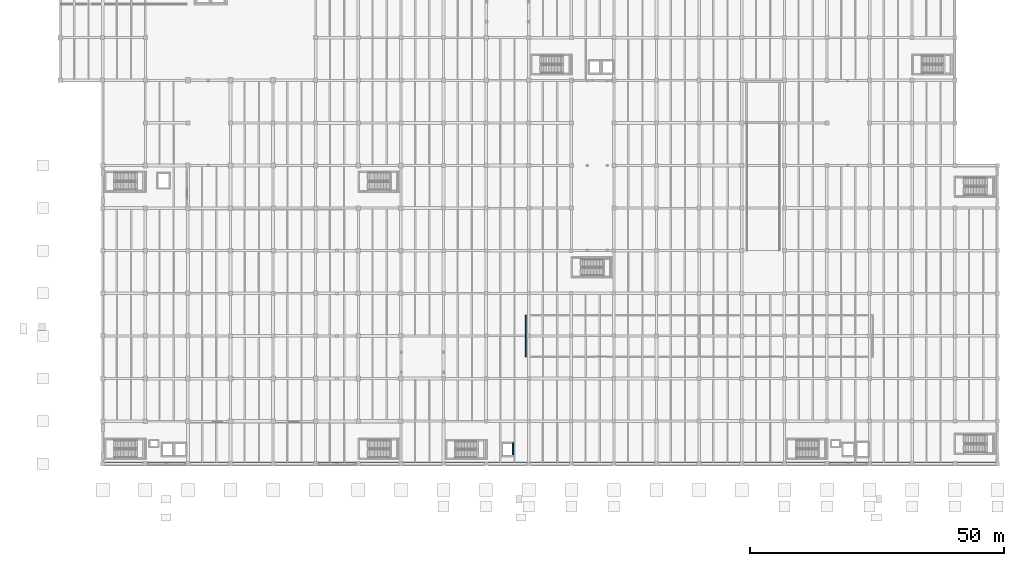
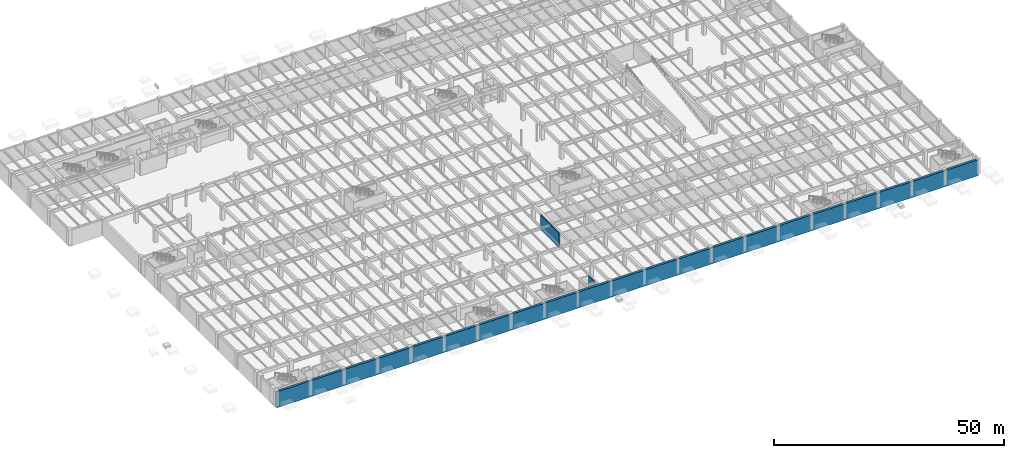
# One storey, part 37 of 63: 3 walls.
"""IFC4 building model written with IfcOpenShell, lengths in metres."""

from ifc_helpers import new_model, si_unit, direction, frame, frame_2d, origin, place, context, subcontext, project, spatial, rectangle, extrude, material, layer, layer_set, type_object, element, save


model = new_model("IFC4")

# Units and contexts
model_context = context("Model", 3, precision=1e-05, world=origin(), true_north=direction((0.0, 1.0)))
body_context = subcontext(model_context, "Body", "Model", "MODEL_VIEW")
ifc_project = project(units=[si_unit("LENGTHUNIT", "METRE"), si_unit("AREAUNIT", "SQUARE_METRE"), si_unit("VOLUMEUNIT", "CUBIC_METRE"), si_unit("PLANEANGLEUNIT", "RADIAN"), si_unit("MASSUNIT", "GRAM", prefix="KILO")], contexts=[model_context])

# Site, building, storey
site_placement = place(None, origin())
site = spatial("IfcSite", under=ifc_project, at=site_placement, CompositionType="ELEMENT")
building_placement = place(site_placement, origin())
building = spatial("IfcBuilding", under=site, at=building_placement, Name="Cumbredor Promenade Congress Hotel", CompositionType="ELEMENT")
storey_placement = place(building_placement, frame((0.0, 0.0, -4.199951171875)))
storey = spatial("IfcBuildingStorey", under=building, at=storey_placement, Name="B01", CompositionType="ELEMENT", Elevation=-4.199951171875)

# Walls
ifc_material = material(Name="Concrete C40/50", Category="concrete")
ifc_layer_1 = layer(ifc_material, 0.60009765625, Name="Concrete C40/50", Category="concrete")
ifc_layer_set_1 = layer_set([ifc_layer_1], Name="Concrete C40/50")
wall_type_1 = type_object("IfcWallType", Name="Basement Retaining Wall 600mm", PredefinedType="USERDEFINED", material=ifc_layer_set_1)
wall_1_placement = place(storey_placement, frame((8.39990234375, 8.39990234375, -0.400146484375), z_axis=(0.0, 0.0, 1.0), x_axis=(1.0, 0.0, 0.0)))
element("IfcWall", 1, at=wall_1_placement, inside=storey, type_object=wall_type_1, Name="B01 Basement Retaining Wall RW-B01-01", ObjectType="RETAINING WALL", PredefinedType="USERDEFINED", context=body_context, shape_type="SweptSolid", body=[
    extrude(rectangle(XDim=176.400146484375, YDim=0.60009765625, at=frame_2d((88.2001953125, 0.0))), origin(), (0.0, 0.0, 1.0), 4.25),
])
ifc_layer_2 = layer(ifc_material, 0.199951171875, Name="Concrete C40/50", Category="concrete")
ifc_layer_set_2 = layer_set([ifc_layer_2], Name="Concrete C40/50")
wall_type_2 = type_object("IfcWallType", Name="WL-CORE-200", PredefinedType="SOLIDWALL", material=ifc_layer_set_2)
wall_2_placement = place(storey_placement, frame((91.800048828125, 29.5, 0.0), z_axis=(0.0, 0.0, 1.0), x_axis=(0.0, 1.0, 0.0)))
element("IfcWall", 2, at=wall_2_placement, inside=storey, type_object=wall_type_2, Name="B01 Interior Partition W-B01-02W", PredefinedType="SOLIDWALL", context=body_context, shape_type="SweptSolid", body=[
    extrude(rectangle(XDim=8.199951171875, YDim=0.199951171875, at=frame_2d((4.10009765625, 0.0))), origin(), (0.0, 0.0, 1.0), 3.849853515625),
])
ifc_layer_3 = layer(ifc_material, 0.2548828125, Name="Concrete C40/50", Category="concrete")
ifc_layer_set_3 = layer_set([ifc_layer_3], Name="Concrete C40/50")
wall_type_3 = type_object("IfcWallType", Name="WL-SHAFT-250", PredefinedType="SOLIDWALL", material=ifc_layer_set_3)
wall_3_placement = place(storey_placement, frame((89.300048828125, 9.89990234375, -0.400146484375), z_axis=(0.0, 0.0, 1.0), x_axis=(0.0, 1.0, 0.0)))
element("IfcWall", 3, at=wall_3_placement, inside=storey, type_object=wall_type_3, Name="SHAFT-PL-08-B01 Shaft Wall East", PredefinedType="SOLIDWALL", context=body_context, shape_type="SweptSolid", body=[
    extrude(rectangle(XDim=2.60009765625, YDim=0.2548828125, at=frame_2d((1.300048828125, 0.0))), origin(), (0.0, 0.0, 1.0), 4.25),
])

save(model, "model.ifc")
